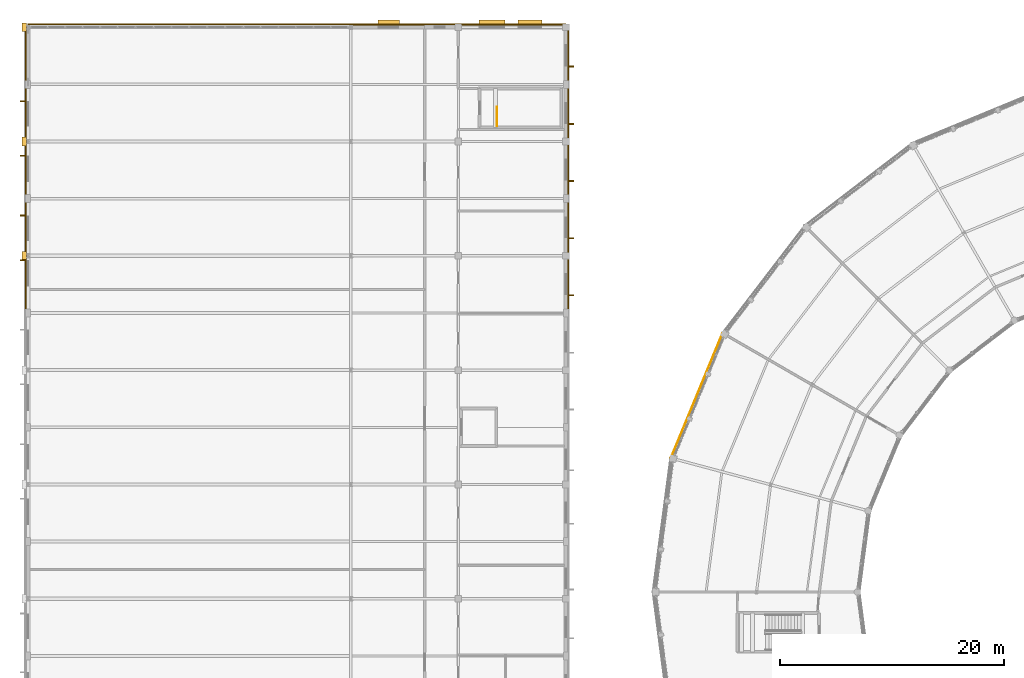
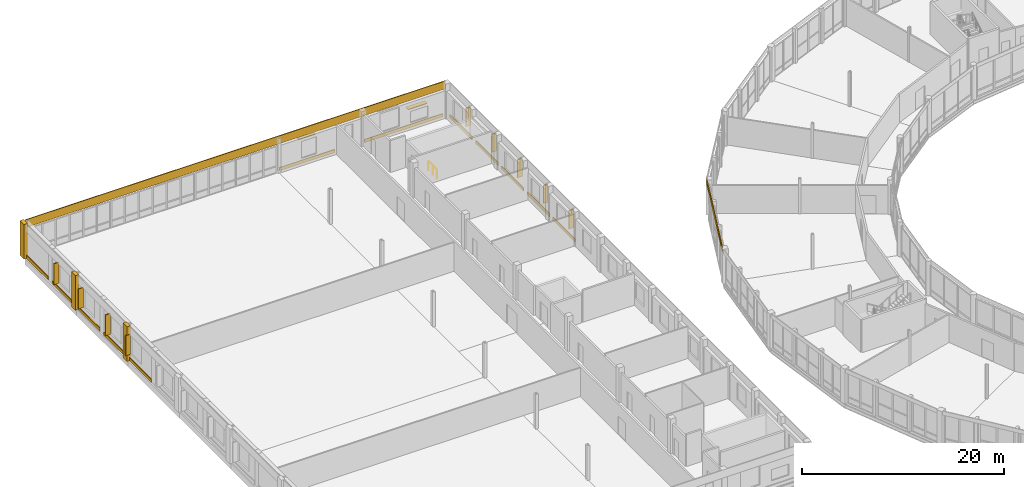
# One storey, part 177 of 185: 17 coverings, 12 shading devices, 1 railing.
"""IFC4 building model written with IfcOpenShell, lengths in metres."""

import ifcopenshell
import ifcopenshell.guid

model = None  # the IFC model being written
_history = None  # IfcOwnerHistory: only IFC2X3 demands one
_inside = {}  # id of a spatial element -> (the spatial element, [elements in it])
_under = {}  # id of a project, library or spatial element -> (it, [spatial elements below it])
_declared = {}  # id of a project -> (the project, [libraries it declares])
_typed = {}  # id of a type object -> (the type object, [elements of that type])
_made_of = {}  # id of a material, layer set ... -> (it, [elements and type objects made of it])


def new_model(schema):
    """Start an empty IFC model of exactly this schema.

    Asked for "IFC4X3", IfcOpenShell would pick the latest addendum, in which some entities
    have other attributes; the version numbers below select the first issue.
    IFC2X3 requires an IfcOwnerHistory on every rooted entity: one is made here for all.
    """
    global model, _history
    if schema == "IFC4X3":
        model = ifcopenshell.file(schema_version=(4, 3, 0, 0))
    else:
        model = ifcopenshell.file(schema=schema)
    _inside.clear()
    _under.clear()
    _declared.clear()
    _typed.clear()
    _made_of.clear()
    _history = None
    if model.schema == "IFC2X3":
        org = make("IfcOrganization", Name="unknown")
        user = make(
            "IfcPersonAndOrganization",
            ThePerson=make("IfcPerson", FamilyName="unknown"),
            TheOrganization=org,
        )
        app = make(
            "IfcApplication",
            ApplicationDeveloper=org,
            Version="unknown",
            ApplicationFullName="unknown",
            ApplicationIdentifier="unknown",
        )
        _history = make(
            "IfcOwnerHistory",
            OwningUser=user,
            OwningApplication=app,
            ChangeAction="ADDED",
            CreationDate=0,
        )
    return model


def make(cls, **values):
    """One entity of the class cls with the attributes given. An attribute that is None is left unset."""
    return model.create_entity(
        cls, **{name: value for name, value in values.items() if value is not None}
    )


def rooted(cls, **values):
    """An entity with a GlobalId (a new one), such as an element, a storey or a relation."""
    return make(cls, GlobalId=ifcopenshell.guid.new(), OwnerHistory=_history, **values)


def si_unit(unit_type, name, prefix=None):
    """IfcSIUnit, for example si_unit("LENGTHUNIT", "METRE", prefix="MILLI")."""
    return make("IfcSIUnit", UnitType=unit_type, Prefix=prefix, Name=name)


def assignment(units):
    """IfcUnitAssignment: the units of a project."""
    return None if units is None else make("IfcUnitAssignment", Units=units)


def point(xyz):
    """IfcCartesianPoint."""
    return None if xyz is None else make("IfcCartesianPoint", Coordinates=xyz)


def direction(xyz):
    """IfcDirection."""
    return None if xyz is None else make("IfcDirection", DirectionRatios=xyz)


def frame(location, z_axis=None, x_axis=None):
    """IfcAxis2Placement3D, a coordinate frame: its origin and axes. An axis left out is left unset."""
    return make(
        "IfcAxis2Placement3D",
        Location=point(location),
        Axis=direction(z_axis),
        RefDirection=direction(x_axis),
    )


def frame_2d(location, x_axis=None):
    """IfcAxis2Placement2D, a coordinate frame in the plane: its origin and x axis."""
    return make(
        "IfcAxis2Placement2D", Location=point(location), RefDirection=direction(x_axis)
    )


def origin():
    """The frame at (0, 0, 0) with its axes left unset."""
    return frame((0.0, 0.0, 0.0))


def origin_2d():
    """The frame at (0, 0) in the plane with its x axis left unset."""
    return frame_2d((0.0, 0.0))


def place(relative_to, where):
    """IfcLocalPlacement: puts the frame where relative to a parent placement (None: the world)."""
    return make(
        "IfcLocalPlacement", PlacementRelTo=relative_to, RelativePlacement=where
    )


def context(
    kind, dimensions, precision=None, world=None, true_north=None, identifier=None
):
    """IfcGeometricRepresentationContext, for example the 3D "Model" context."""
    return make(
        "IfcGeometricRepresentationContext",
        ContextIdentifier=identifier,
        ContextType=kind,
        CoordinateSpaceDimension=dimensions,
        Precision=precision,
        WorldCoordinateSystem=world,
        TrueNorth=true_north,
    )


def subcontext(parent, identifier, kind, view, scale=None):
    """IfcGeometricRepresentationSubContext, for example "Body" below "Model"."""
    return make(
        "IfcGeometricRepresentationSubContext",
        ContextIdentifier=identifier,
        ContextType=kind,
        ParentContext=parent,
        TargetScale=scale,
        TargetView=view,
    )


def project(units=None, contexts=None):
    """IfcProject with its units and contexts."""
    return rooted(
        "IfcProject",
        Name="project",
        RepresentationContexts=contexts,
        UnitsInContext=assignment(units),
    )


def spatial(cls, under=None, at=None, **own):
    """A site, building, storey or space (cls), placed at a placement, below another one or the project."""
    s = rooted(cls, ObjectPlacement=at, **own)
    if under is not None:
        _under.setdefault(under.id(), (under, []))[1].append(s)
    return s


def profile(cls, at=None, kind="AREA", **sizes):
    """A parametric profile (cls). Its sizes go by their IFC names, for example OverallWidth=200.0."""
    return make(cls, ProfileType=kind, Position=at, **sizes)


def rectangle(**sizes):
    """IfcRectangleProfileDef."""
    return profile("IfcRectangleProfileDef", **sizes)


def circle(**sizes):
    """IfcCircleProfileDef."""
    return profile("IfcCircleProfileDef", **sizes)


def extrude(swept, where, along, depth):
    """IfcExtrudedAreaSolid: the profile swept, set in the frame where, extruded along a direction by depth."""
    return make(
        "IfcExtrudedAreaSolid",
        SweptArea=swept,
        Position=where,
        ExtrudedDirection=direction(along),
        Depth=depth,
    )


def shape(context_of_items, identifier, shape_type, items):
    """IfcShapeRepresentation: the items that make up one representation, for example the "Body"."""
    return make(
        "IfcShapeRepresentation",
        ContextOfItems=context_of_items,
        RepresentationIdentifier=identifier,
        RepresentationType=shape_type,
        Items=items,
    )


def material(Name=None, Category=None):
    """IfcMaterial."""
    return make("IfcMaterial", Name=Name, Category=Category)


def layer(
    of_material, thickness, ventilated=None, Name=None, Category=None, Priority=None
):
    """IfcMaterialLayer: one layer of a wall or slab, of a material (None: an air gap)."""
    return make(
        "IfcMaterialLayer",
        Material=of_material,
        LayerThickness=thickness,
        IsVentilated=ventilated,
        Name=Name,
        Category=Category,
        Priority=Priority,
    )


def layer_set(layers, Name=None):
    """IfcMaterialLayerSet."""
    return make("IfcMaterialLayerSet", MaterialLayers=layers, LayerSetName=Name)


def made_of(thing, what):
    """Note that an element or type object is made of a material, layer set ...; save() writes the relation."""
    if what is not None:
        _made_of.setdefault(what.id(), (what, []))[1].append(thing)
    return thing


def type_object(cls, material=None, **own):
    """A type object (cls), such as IfcWallType, which elements share."""
    return made_of(rooted(cls, **own), material)


def element(
    cls,
    number,
    at=None,
    inside=None,
    cuts=None,
    type_object=None,
    material=None,
    context=None,
    identifier="Body",
    shape_type=None,
    held_by="IfcProductDefinitionShape",
    body=None,
    shapes=None,
    **own,
):
    """One element of the class cls, such as IfcWall. Its Tag is "e" and its number.

    at: its placement. inside: the storey or other place that contains it. cuts: it is an
    opening in that element (IfcRelVoidsElement). A single representation is given by context,
    identifier, shape_type and body (its items); several are given by shapes. held_by: the class
    of the entity that holds the representations. save() writes the other relations.
    """
    e = rooted(cls, Tag="e%d" % number, ObjectPlacement=at, **own)
    if body is not None:
        shapes = [shape(context, identifier, shape_type, body)]
    if shapes is not None:
        e.Representation = make(held_by, Representations=shapes)
    if inside is not None:
        _inside.setdefault(inside.id(), (inside, []))[1].append(e)
    if cuts is not None:
        rooted(
            "IfcRelVoidsElement", RelatingBuildingElement=cuts, RelatedOpeningElement=e
        )
    if type_object is not None:
        _typed.setdefault(type_object.id(), (type_object, []))[1].append(e)
    return made_of(e, material)


def aggregate(whole, parts):
    """IfcRelAggregates: a whole, such as a stair, and the parts it consists of."""
    return rooted("IfcRelAggregates", RelatingObject=whole, RelatedObjects=parts)


def save(model, path):
    """Write the relations noted so far, then the file.

    IfcRelAggregates (storeys below a building ...), IfcRelContainedInSpatialStructure (elements
    in a storey), IfcRelDefinesByType, IfcRelAssociatesMaterial and IfcRelDeclares: one each for
    every whole, place, type object, material and project.
    """
    for whole, parts in _under.values():
        aggregate(whole, parts)
    for where, things in _inside.values():
        rooted(
            "IfcRelContainedInSpatialStructure",
            RelatedElements=things,
            RelatingStructure=where,
        )
    for kind, things in _typed.values():
        rooted("IfcRelDefinesByType", RelatedObjects=things, RelatingType=kind)
    for what, things in _made_of.values():
        rooted("IfcRelAssociatesMaterial", RelatedObjects=things, RelatingMaterial=what)
    for by, libraries in _declared.values():
        rooted("IfcRelDeclares", RelatingContext=by, RelatedDefinitions=libraries)
    model.write(path)


model = new_model("IFC4")

# Units and contexts
model_context = context("Model", 3, precision=1e-05, world=origin(), true_north=direction((0.0, 1.0)))
body_context = subcontext(model_context, "Body", "Model", "MODEL_VIEW")
ifc_project = project(units=[si_unit("LENGTHUNIT", "METRE"), si_unit("AREAUNIT", "SQUARE_METRE"), si_unit("VOLUMEUNIT", "CUBIC_METRE"), si_unit("PLANEANGLEUNIT", "RADIAN"), si_unit("MASSUNIT", "GRAM", prefix="KILO")], contexts=[model_context])

# Site, building, storey
site_placement = place(None, origin())
site = spatial("IfcSite", under=ifc_project, at=site_placement, CompositionType="ELEMENT")
building_placement = place(site_placement, origin())
building = spatial("IfcBuilding", under=site, at=building_placement, Name="Vondelvale Polytechnic", CompositionType="ELEMENT")
storey_placement = place(building_placement, frame((0.0, 0.0, 9.60009765625)))
storey = spatial("IfcBuildingStorey", under=building, at=storey_placement, Name="L02", CompositionType="ELEMENT", Elevation=9.60009765625)

# Coverings
ifc_material_1 = material(Name="Amsterdam School iron-spot clinker clay brickwork", Category="masonry")
ifc_layer_1 = layer(ifc_material_1, 0.090087890625)
ifc_layer_set_1 = layer_set([ifc_layer_1], Name="COV-BRICK-RELIEF")
covering_type_1 = type_object("IfcCoveringType", Name="COV-BRICK-RELIEF", PredefinedType="CLADDING", material=ifc_layer_set_1)
covering_1_placement = place(storey_placement, frame((24.0, 122.6650390625, 3.239990234375), z_axis=(0.0, 0.0, 1.0), x_axis=(1.0, 0.0, 0.0)))
element("IfcCovering", 1, at=covering_1_placement, inside=storey, type_object=covering_type_1, Name="L02 exterior masonry spandrel band", PredefinedType="CLADDING", context=body_context, shape_type="SweptSolid", body=[
    extrude(rectangle(XDim=48.0, YDim=0.090087890625, at=origin_2d()), origin(), (0.0, 0.0, 1.0), 0.9599609375),
])
for number, where, z_axis, x_axis, name in (
    (2, (-0.216064453125, 99.543212890625, 0.0), (0.0, 0.0, 1.0), (0.0, 1.0, 0.0), "L02 exterior corbelled masonry relief band"),
    (3, (-0.216064453125, 104.456787109375, 0.0), (0.0, 0.0, 1.0), (0.0, 1.0, 0.0), "L02 exterior corbelled masonry relief band"),
    (4, (-0.216064453125, 109.7431640625, 0.0), (0.0, 0.0, 1.0), (0.0, 1.0, 0.0), "L02 exterior corbelled masonry relief band"),
    (5, (-0.216064453125, 114.65673828125, 0.0), (0.0, 0.0, 1.0), (0.0, 1.0, 0.0), "L02 exterior corbelled masonry relief band"),
    (6, (-0.216064453125, 119.943359375, 0.0), (0.0, 0.0, 1.0), (0.0, 1.0, 0.0), "L02 exterior corbelled masonry relief band"),
):
    element("IfcCovering", number, at=place(storey_placement, frame(where, z_axis=z_axis, x_axis=x_axis)), inside=storey, type_object=covering_type_1, Name=name, PredefinedType="CLADDING", context=body_context, shape_type="SweptSolid", body=[
        extrude(rectangle(XDim=4.5244140625, YDim=0.090087890625, at=origin_2d()), origin(), (0.0, 0.0, 1.0), 0.3798828125),
    ])
for number, where, z_axis, x_axis, name in (
    (7, (48.216064453125, 99.47509765625, 0.0), (0.0, 0.0, 1.0), (0.0, -1.0, 0.0), "L02 exterior corbelled masonry relief band"),
    (8, (48.216064453125, 104.52490234375, 0.0), (0.0, 0.0, 1.0), (0.0, -1.0, 0.0), "L02 exterior corbelled masonry relief band"),
    (9, (48.216064453125, 109.675048828125, 0.0), (0.0, 0.0, 1.0), (0.0, -1.0, 0.0), "L02 exterior corbelled masonry relief band"),
    (10, (48.216064453125, 114.72509765625, 0.0), (0.0, 0.0, 1.0), (0.0, -1.0, 0.0), "L02 exterior corbelled masonry relief band"),
    (11, (48.216064453125, 119.875, 0.0), (0.0, 0.0, 1.0), (0.0, -1.0, 0.0), "L02 exterior corbelled masonry relief band"),
):
    element("IfcCovering", number, at=place(storey_placement, frame(where, z_axis=z_axis, x_axis=x_axis)), inside=storey, type_object=covering_type_1, Name=name, PredefinedType="CLADDING", context=body_context, shape_type="SweptSolid", body=[
        extrude(rectangle(XDim=4.387939453125, YDim=0.090087890625, at=origin_2d()), origin(), (0.0, 0.0, 1.0), 0.3798828125),
    ])
covering_2_placement = place(storey_placement, frame((32.18212890625, 122.615966796875, 0.0), z_axis=(0.0, 0.0, 1.0), x_axis=(1.0, 0.0, 0.0)))
element("IfcCovering", 12, at=covering_2_placement, inside=storey, type_object=covering_type_1, Name="L02 exterior corbelled masonry relief band", PredefinedType="CLADDING", context=body_context, shape_type="SweptSolid", body=[
    extrude(rectangle(XDim=6.37548828125, YDim=0.090087890625, at=origin_2d()), origin(), (0.0, 0.0, 1.0), 0.3798828125),
])
covering_3_placement = place(storey_placement, frame((43.199951171875, 122.615966796875, 0.0), z_axis=(0.0, 0.0, 1.0), x_axis=(1.0, 0.0, 0.0)))
element("IfcCovering", 13, at=covering_3_placement, inside=storey, type_object=covering_type_1, Name="L02 exterior corbelled masonry relief band", PredefinedType="CLADDING", context=body_context, shape_type="SweptSolid", body=[
    extrude(rectangle(XDim=8.93798828125, YDim=0.090087890625, at=origin_2d()), origin(), (0.0, 0.0, 1.0), 0.3798828125),
])
for number, where, z_axis, x_axis, name in (
    (14, (-0.340087890625, 102.0, 0.0), (0.0, 0.0, 1.0), (1.0, 0.0, 0.0), "L02 Workshop giant-order brick buttress pier"),
    (15, (-0.340087890625, 112.199951171875, 0.0), (0.0, 0.0, 1.0), (1.0, 0.0, 0.0), "L02 Workshop giant-order brick buttress pier"),
    (16, (-0.340087890625, 122.39990234375, 0.0), (0.0, 0.0, 1.0), (1.0, 0.0, 0.0), "L02 Workshop giant-order brick buttress pier"),
):
    element("IfcCovering", number, at=place(storey_placement, frame(where, z_axis=z_axis, x_axis=x_axis)), inside=storey, type_object=covering_type_1, Name=name, PredefinedType="CLADDING", context=body_context, shape_type="SweptSolid", body=[
        extrude(rectangle(XDim=0.39990234375, YDim=0.780029296875, at=origin_2d()), origin(), (0.0, 0.0, 1.0), 4.199951171875),
    ])
ifc_material_2 = material(Name="Engineered Tasmanian oak studio and bridge joinery")
ifc_layer_2 = layer(ifc_material_2, 0.06494140625)
ifc_layer_set_2 = layer_set([ifc_layer_2], Name="COV-OAK-SPANDREL")
covering_type_2 = type_object("IfcCoveringType", Name="COV-OAK-SPANDREL", PredefinedType="CLADDING", material=ifc_layer_set_2)
covering_4_placement = place(storey_placement, frame((59.67041015625, 89.533447265625, 3.719970703125), z_axis=(0.0, 0.0, 1.0), x_axis=(-0.382683432365, -0.923879532511, 0.0)))
element("IfcCovering", 17, at=covering_4_placement, inside=storey, type_object=covering_type_2, Name="L02 exterior masonry spandrel band", PredefinedType="CLADDING", context=body_context, shape_type="SweptSolid", body=[
    extrude(rectangle(XDim=12.00830078125, YDim=0.06494140625, at=origin_2d()), origin(), (0.0, 0.0, 1.0), 0.47998046875),
])

# Railing
ifc_material_3 = material(Name="Brushed architectural stainless and zinc-coated metal")
ifc_layer_3 = layer(ifc_material_3, 0.050048828125)
ifc_layer_set_3 = layer_set([ifc_layer_3], Name="RL-STAIR-GUARD")
railing_type = type_object("IfcRailingType", Name="RL-STAIR-GUARD", PredefinedType="GUARDRAIL", material=ifc_layer_set_3)
railing_placement = place(storey_placement, frame((41.85009765625, 113.60009765625, 0.0)))
element("IfcRailing", 18, at=railing_placement, inside=storey, type_object=railing_type, Name="L02 ST-02 top well guard 1", PredefinedType="GUARDRAIL", context=body_context, shape_type="SweptSolid", body=[
    extrude(circle(Radius=0.02392578125, at=origin_2d()), frame((0.0, 0.0, 1.076171875), z_axis=(0.0, 1.0, 0.0), x_axis=(-1.0, 0.0, 0.0)), (0.0, 0.0, 1.0), 1.699951171875),
    extrude(circle(Radius=0.02099609375, at=origin_2d()), origin(), (0.0, 0.0, 1.0), 1.052001953125),
    extrude(circle(Radius=0.02099609375, at=origin_2d()), frame((0.0, 0.85009765625, 0.0)), (0.0, 0.0, 1.0), 1.052001953125),
    extrude(circle(Radius=0.02099609375, at=origin_2d()), frame((0.0, 1.699951171875, 0.0)), (0.0, 0.0, 1.0), 1.052001953125),
])

# Shading devices
ifc_material_4 = material(Name="Anodised extruded aluminium 6063-T6", Category="aluminium")
shading_device_type_1 = type_object("IfcShadingDeviceType", Name="SHD-BRONZE-LOUVRE", PredefinedType="SHUTTER", material=ifc_material_4)
shading_device_1_placement = place(storey_placement, frame((32.182373046875, 122.800048828125, 2.95751953125), z_axis=(0.0, 0.0, 1.0), x_axis=(1.0, 0.0, 0.0)))
element("IfcShadingDevice", 19, at=shading_device_1_placement, inside=storey, type_object=shading_device_type_1, Name="L02 horizontal bronze sun-louvre overhang", PredefinedType="SHUTTER", context=body_context, shape_type="SweptSolid", body=[
    extrude(rectangle(XDim=1.909912109375, YDim=0.47998046875, at=origin_2d()), origin(), (0.0, 0.0, 1.0), 0.0849609375),
])
shading_device_2_placement = place(storey_placement, frame((41.40087890625, 122.800048828125, 3.157470703125), z_axis=(0.0, 0.0, 1.0), x_axis=(1.0, 0.0, 0.0)))
element("IfcShadingDevice", 20, at=shading_device_2_placement, inside=storey, type_object=shading_device_type_1, Name="L02 horizontal bronze sun-louvre overhang", PredefinedType="SHUTTER", context=body_context, shape_type="SweptSolid", body=[
    extrude(rectangle(XDim=2.360107421875, YDim=0.47998046875, at=origin_2d()), origin(), (0.0, 0.0, 1.0), 0.0849609375),
])
shading_device_3_placement = place(storey_placement, frame((44.801025390625, 122.800048828125, 2.20751953125), z_axis=(0.0, 0.0, 1.0), x_axis=(1.0, 0.0, 0.0)))
element("IfcShadingDevice", 21, at=shading_device_3_placement, inside=storey, type_object=shading_device_type_1, Name="L02 horizontal bronze sun-louvre overhang", PredefinedType="SHUTTER", context=body_context, shape_type="SweptSolid", body=[
    extrude(rectangle(XDim=2.159912109375, YDim=0.47998046875, at=origin_2d()), origin(), (0.0, 0.0, 1.0), 0.0849609375),
])
ifc_material_5 = material(Name="Kiln-fired architectural terracotta", Category="masonry")
shading_device_type_2 = type_object("IfcShadingDeviceType", Name="SHD-TERRA-FIN-550", PredefinedType="JALOUSIE", material=ifc_material_5)
shading_device_4_placement = place(storey_placement, frame((-0.43505859375, 101.610107421875, 0.7900390625), z_axis=(0.0, 0.0, 1.0), x_axis=(0.0, 1.0, 0.0)))
element("IfcShadingDevice", 22, at=shading_device_4_placement, inside=storey, type_object=shading_device_type_2, Name="L02 vertical terracotta solar fin", PredefinedType="JALOUSIE", context=body_context, shape_type="SweptSolid", body=[
    extrude(rectangle(XDim=0.110107421875, YDim=0.550048828125, at=origin_2d()), origin(), (0.0, 0.0, 1.0), 2.419921875),
])
shading_device_5_placement = place(storey_placement, frame((-0.43505859375, 105.5966796875, 0.789794921875), z_axis=(0.0, 0.0, 1.0), x_axis=(0.0, 1.0, 0.0)))
element("IfcShadingDevice", 23, at=shading_device_5_placement, inside=storey, type_object=shading_device_type_2, Name="L02 vertical terracotta solar fin", PredefinedType="JALOUSIE", context=body_context, shape_type="SweptSolid", body=[
    extrude(rectangle(XDim=0.110107421875, YDim=0.550048828125, at=origin_2d()), origin(), (0.0, 0.0, 1.0), 2.52001953125),
])
shading_device_6_placement = place(storey_placement, frame((-0.43505859375, 110.933349609375, 0.7900390625), z_axis=(0.0, 0.0, 1.0), x_axis=(0.0, 1.0, 0.0)))
element("IfcShadingDevice", 24, at=shading_device_6_placement, inside=storey, type_object=shading_device_type_2, Name="L02 vertical terracotta solar fin", PredefinedType="JALOUSIE", context=body_context, shape_type="SweptSolid", body=[
    extrude(rectangle(XDim=0.110107421875, YDim=0.550048828125, at=origin_2d()), origin(), (0.0, 0.0, 1.0), 2.419921875),
])
shading_device_7_placement = place(storey_placement, frame((-0.43505859375, 115.796875, 0.789794921875), z_axis=(0.0, 0.0, 1.0), x_axis=(0.0, 1.0, 0.0)))
element("IfcShadingDevice", 25, at=shading_device_7_placement, inside=storey, type_object=shading_device_type_2, Name="L02 vertical terracotta solar fin", PredefinedType="JALOUSIE", context=body_context, shape_type="SweptSolid", body=[
    extrude(rectangle(XDim=0.110107421875, YDim=0.550048828125, at=origin_2d()), origin(), (0.0, 0.0, 1.0), 2.52001953125),
])
shading_device_8_placement = place(storey_placement, frame((48.43505859375, 98.485107421875, 0.89013671875), z_axis=(0.0, 0.0, 1.0), x_axis=(0.0, -1.0, 0.0)))
element("IfcShadingDevice", 26, at=shading_device_8_placement, inside=storey, type_object=shading_device_type_2, Name="L02 vertical terracotta solar fin", PredefinedType="JALOUSIE", context=body_context, shape_type="SweptSolid", body=[
    extrude(rectangle(XDim=0.110107421875, YDim=0.550048828125, at=origin_2d()), origin(), (0.0, 0.0, 1.0), 2.219970703125),
])
shading_device_9_placement = place(storey_placement, frame((48.43505859375, 103.56005859375, 0.889892578125), z_axis=(0.0, 0.0, 1.0), x_axis=(0.0, -1.0, 0.0)))
element("IfcShadingDevice", 27, at=shading_device_9_placement, inside=storey, type_object=shading_device_type_2, Name="L02 vertical terracotta solar fin", PredefinedType="JALOUSIE", context=body_context, shape_type="SweptSolid", body=[
    extrude(rectangle(XDim=0.110107421875, YDim=0.550048828125, at=origin_2d()), origin(), (0.0, 0.0, 1.0), 2.169921875),
])
shading_device_10_placement = place(storey_placement, frame((48.43505859375, 108.68505859375, 0.89013671875), z_axis=(0.0, 0.0, 1.0), x_axis=(0.0, -1.0, 0.0)))
element("IfcShadingDevice", 28, at=shading_device_10_placement, inside=storey, type_object=shading_device_type_2, Name="L02 vertical terracotta solar fin", PredefinedType="JALOUSIE", context=body_context, shape_type="SweptSolid", body=[
    extrude(rectangle(XDim=0.110107421875, YDim=0.550048828125, at=origin_2d()), origin(), (0.0, 0.0, 1.0), 2.219970703125),
])
shading_device_11_placement = place(storey_placement, frame((48.43505859375, 113.760009765625, 0.889892578125), z_axis=(0.0, 0.0, 1.0), x_axis=(0.0, -1.0, 0.0)))
element("IfcShadingDevice", 29, at=shading_device_11_placement, inside=storey, type_object=shading_device_type_2, Name="L02 vertical terracotta solar fin", PredefinedType="JALOUSIE", context=body_context, shape_type="SweptSolid", body=[
    extrude(rectangle(XDim=0.110107421875, YDim=0.550048828125, at=origin_2d()), origin(), (0.0, 0.0, 1.0), 2.169921875),
])
shading_device_12_placement = place(storey_placement, frame((48.43505859375, 118.885009765625, 0.89013671875), z_axis=(0.0, 0.0, 1.0), x_axis=(0.0, -1.0, 0.0)))
element("IfcShadingDevice", 30, at=shading_device_12_placement, inside=storey, type_object=shading_device_type_2, Name="L02 vertical terracotta solar fin", PredefinedType="JALOUSIE", context=body_context, shape_type="SweptSolid", body=[
    extrude(rectangle(XDim=0.110107421875, YDim=0.550048828125, at=origin_2d()), origin(), (0.0, 0.0, 1.0), 2.219970703125),
])

save(model, "model.ifc")
